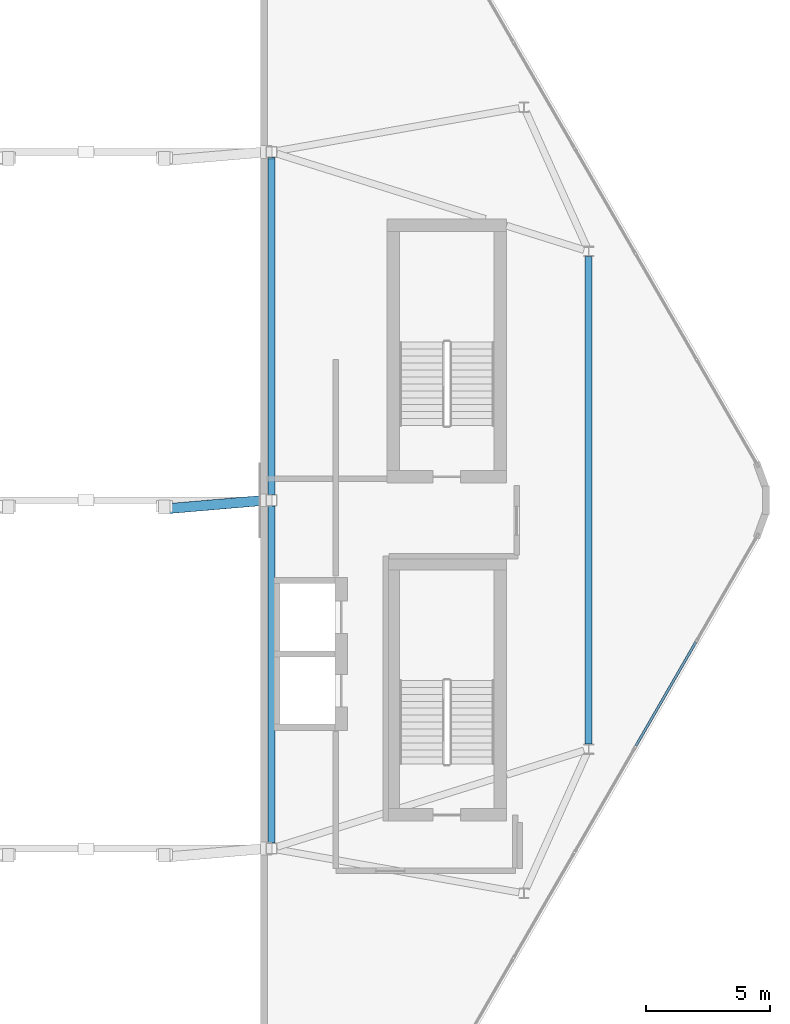
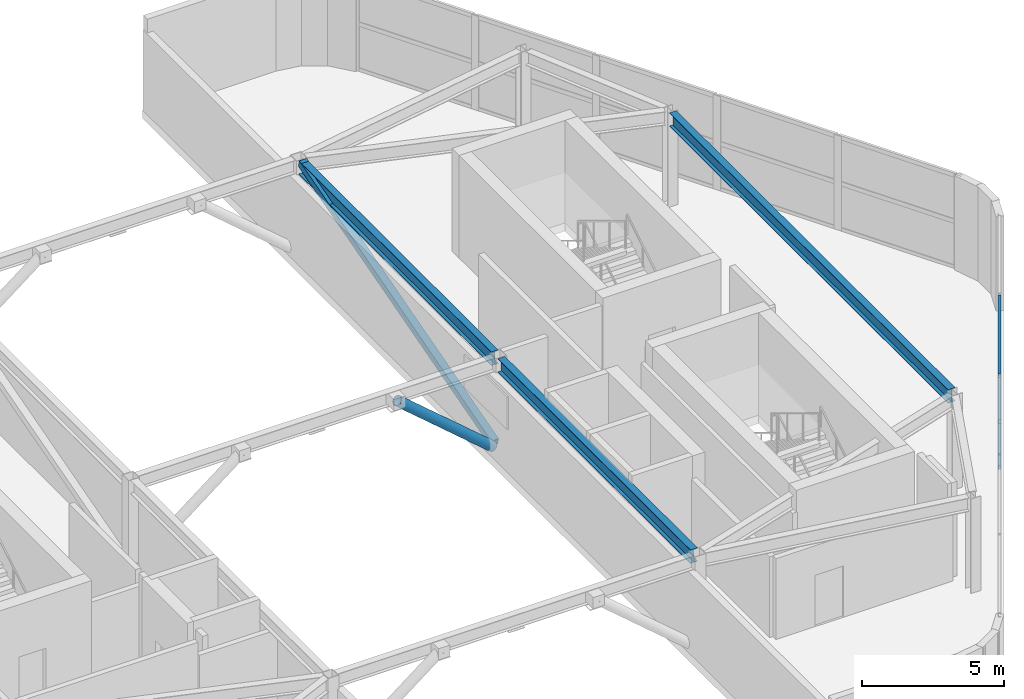
# One storey, part 8 of 16: 5 members, 3 beams, 1 element without a shape of its own.
"""IFC4 building model written with IfcOpenShell, lengths in metres."""

from ifc_helpers import new_model, si_unit, direction, frame, origin, origin_2d, place, context, subcontext, project, spatial, hollow_rectangle, hollow_circle, i_section, extrude, material, material_profile, profile_set, type_object, element, aggregate, save


model = new_model("IFC4")

# Units and contexts
model_context = context("Model", 3, precision=1e-05, world=origin(), true_north=direction((0.0, 1.0)))
body_context = subcontext(model_context, "Body", "Model", "MODEL_VIEW")
ifc_project = project(units=[si_unit("LENGTHUNIT", "METRE"), si_unit("AREAUNIT", "SQUARE_METRE"), si_unit("VOLUMEUNIT", "CUBIC_METRE"), si_unit("PLANEANGLEUNIT", "RADIAN"), si_unit("MASSUNIT", "GRAM", prefix="KILO")], contexts=[model_context])

# Site, building, storey
site_placement = place(None, origin())
site = spatial("IfcSite", under=ifc_project, at=site_placement, CompositionType="ELEMENT")
building_placement = place(site_placement, origin())
building = spatial("IfcBuilding", under=site, at=building_placement, Name="Zuhravey Tower", CompositionType="ELEMENT")
storey_placement = place(building_placement, frame((0.0, 0.0, 365.800048828125)))
storey = spatial("IfcBuildingStorey", under=building, at=storey_placement, Name="L93", CompositionType="ELEMENT", Elevation=365.800048828125)

# Member
ifc_material_1 = material(Name="Steel SM355", Category="steel")
ifc_material_profile_1 = material_profile(ifc_material_1, hollow_rectangle(XDim=0.300048828125, YDim=0.300048828125, WallThickness=0.01611328125, at=origin_2d()), Name="RHS-300x300x16")
ifc_profile_set_1 = profile_set([ifc_material_profile_1], Name="Steel SM355")
member_type_1 = type_object("IfcMemberType", Name="Crown Frame Strut RHS300x300", PredefinedType="STRUT", material=ifc_profile_set_1)
member_1_placement = place(storey_placement, frame((43.449951171875, 32.249267578125, 0.10546875), z_axis=(0.0, 0.961870384353, 0.273505692271), x_axis=(-1.0, 0.0, 0.0)))
element("IfcMember", 1, at=member_1_placement, inside=storey, type_object=member_type_1, Name="L93 East Crest Portal Frame Strut CFS1", PredefinedType="STRUT", context=body_context, shape_type="SweptSolid", body=[
    extrude(hollow_rectangle(XDim=0.300048828125, YDim=0.300048828125, WallThickness=0.01611328125, at=origin_2d()), origin(), (0.0, 0.0, 1.0), 14.03662109375),
])

# Beams
ifc_material_profile_2 = material_profile(ifc_material_1, i_section(OverallWidth=0.280029296875, OverallDepth=0.580078125, WebThickness=0.011962890625, FlangeThickness=0.01904296875, at=origin_2d()), Name="H-580x280x12x19")
ifc_profile_set_2 = profile_set([ifc_material_profile_2], Name="Steel SM355")
beam_type = type_object("IfcBeamType", Name="Perimeter Ring Beam H580x280", PredefinedType="BEAM", material=ifc_profile_set_2)
beam_placement = place(storey_placement, frame((56.199951171875, 22.2041015625, 3.760009765625), z_axis=(0.0, 1.0, 0.0), x_axis=(-1.0, 0.0, 0.0)))
element("IfcBeam", 2, at=beam_placement, inside=storey, type_object=beam_type, Name="L93 PB4 BM-L93-ECR-0-1", PredefinedType="BEAM", context=body_context, shape_type="SweptSolid", body=[
    extrude(i_section(OverallWidth=0.280029296875, OverallDepth=0.580078125, WebThickness=0.011962890625, FlangeThickness=0.01904296875, at=origin_2d()), origin(), (0.0, 0.0, 1.0), 19.591796875),
])
for number, where, z_axis, x_axis, name in (
    (3, (43.449951171875, 18.22900390625, 3.760009765625), (0.0, 1.0, 0.0), (-1.0, 0.0, 0.0), "L93 PB4 BM-L93-ECR-4-5"),
    (4, (43.449951171875, 32.22900390625, 3.760009765625), (0.0, 1.0, 0.0), (-1.0, 0.0, 0.0), "L93 PB4 BM-L93-ECR-5-6"),
):
    element("IfcBeam", number, at=place(storey_placement, frame(where, z_axis=z_axis, x_axis=x_axis)), inside=storey, type_object=beam_type, Name=name, PredefinedType="BEAM", context=body_context, shape_type="SweptSolid", body=[
        extrude(i_section(OverallWidth=0.280029296875, OverallDepth=0.580078125, WebThickness=0.011962890625, FlangeThickness=0.01904296875, at=origin_2d()), origin(), (0.0, 0.0, 1.0), 13.5419921875),
    ])

# Curtain wall, members
ifc_material_2 = material(Name="Thermally broken anodised aluminium", Category="aluminium")
curtain_wall_type = type_object("IfcCurtainWallType", Name="Split-Top Crown Screened Curtain Wall CW6", PredefinedType="NOTDEFINED", material=ifc_material_2)
curtain_wall_placement = place(storey_placement, origin())
curtain_wall = element("IfcCurtainWall", 5, at=curtain_wall_placement, inside=storey, type_object=curtain_wall_type, Name="L93 CW6 CW6-L93-EAST-08", PredefinedType="NOTDEFINED")
ifc_material_3 = material(Name="Anodised aluminium", Category="aluminium")
ifc_material_profile_3 = material_profile(ifc_material_3, hollow_rectangle(XDim=0.10009765625, YDim=0.179931640625, WallThickness=0.006103515625, at=origin_2d()), Name="ALU-RHS-100x180x6")
ifc_profile_set_3 = profile_set([ifc_material_profile_3], Name="Anodised aluminium")
member_type_2 = type_object("IfcMemberType", Name="Tall-Storey Transom 100x180", PredefinedType="USERDEFINED", material=ifc_profile_set_3)
member_2_placement = place(storey_placement, frame((60.503173828125, 26.29248046875, 0.050048828125), z_axis=(-0.50003466983, -0.866005386223, 0.0), x_axis=(0.866005386223, -0.50003466983, 0.0)))
member_2 = element("IfcMember", 6, at=member_2_placement, type_object=member_type_2, Name="CW6 transom 2.1", ObjectType="TRANSOM", PredefinedType="USERDEFINED", context=body_context, shape_type="SweptSolid", body=[
    extrude(hollow_rectangle(XDim=0.10009765625, YDim=0.179931640625, WallThickness=0.006103515625, at=origin_2d()), origin(), (0.0, 0.0, 1.0), 4.805908203125),
])
member_3_placement = place(storey_placement, frame((60.503173828125, 26.29248046875, 2.02490234375), z_axis=(-0.50003466983, -0.866005386223, 0.0), x_axis=(0.866005386223, -0.50003466983, 0.0)))
member_3 = element("IfcMember", 7, at=member_3_placement, type_object=member_type_2, Name="CW6 transom 2.2", ObjectType="TRANSOM", PredefinedType="USERDEFINED", context=body_context, shape_type="SweptSolid", body=[
    extrude(hollow_rectangle(XDim=0.10009765625, YDim=0.179931640625, WallThickness=0.006103515625, at=origin_2d()), origin(), (0.0, 0.0, 1.0), 4.805908203125),
])
member_4_placement = place(storey_placement, frame((60.503173828125, 26.29248046875, 4.0), z_axis=(-0.50003466983, -0.866005386223, 0.0), x_axis=(0.866005386223, -0.50003466983, 0.0)))
member_4 = element("IfcMember", 8, at=member_4_placement, type_object=member_type_2, Name="CW6 transom 2.3", ObjectType="TRANSOM", PredefinedType="USERDEFINED", context=body_context, shape_type="SweptSolid", body=[
    extrude(hollow_rectangle(XDim=0.10009765625, YDim=0.179931640625, WallThickness=0.006103515625, at=origin_2d()), origin(), (0.0, 0.0, 1.0), 4.805908203125),
])
aggregate(curtain_wall, [member_2, member_3, member_4])

# Member
ifc_material_profile_4 = material_profile(ifc_material_1, hollow_circle(Radius=0.203125, WallThickness=0.02001953125, at=origin_2d()), Name="CHS-406.4x20")
ifc_profile_set_4 = profile_set([ifc_material_profile_4], Name="Steel SM355")
member_type_3 = type_object("IfcMemberType", Name="Wind-Portal Arch Brace CHS406x20", PredefinedType="BRACE", material=ifc_profile_set_4)
member_5_placement = place(storey_placement, frame((43.219482421875, 31.999755859375, 0.18115234375), z_axis=(-0.747100108009, -0.063850111259, 0.661637810214), x_axis=(0.085153511528, -0.996367843457, 0.0)))
element("IfcMember", 9, at=member_5_placement, inside=storey, type_object=member_type_3, Name="L93 Wind-Portal Arch Brace WPB1-2E", PredefinedType="BRACE", context=body_context, shape_type="SweptSolid", body=[
    extrude(hollow_circle(Radius=0.203125, WallThickness=0.02001953125, at=origin_2d()), origin(), (0.0, 0.0, 1.0), 5.44482421875),
])

save(model, "model.ifc")
